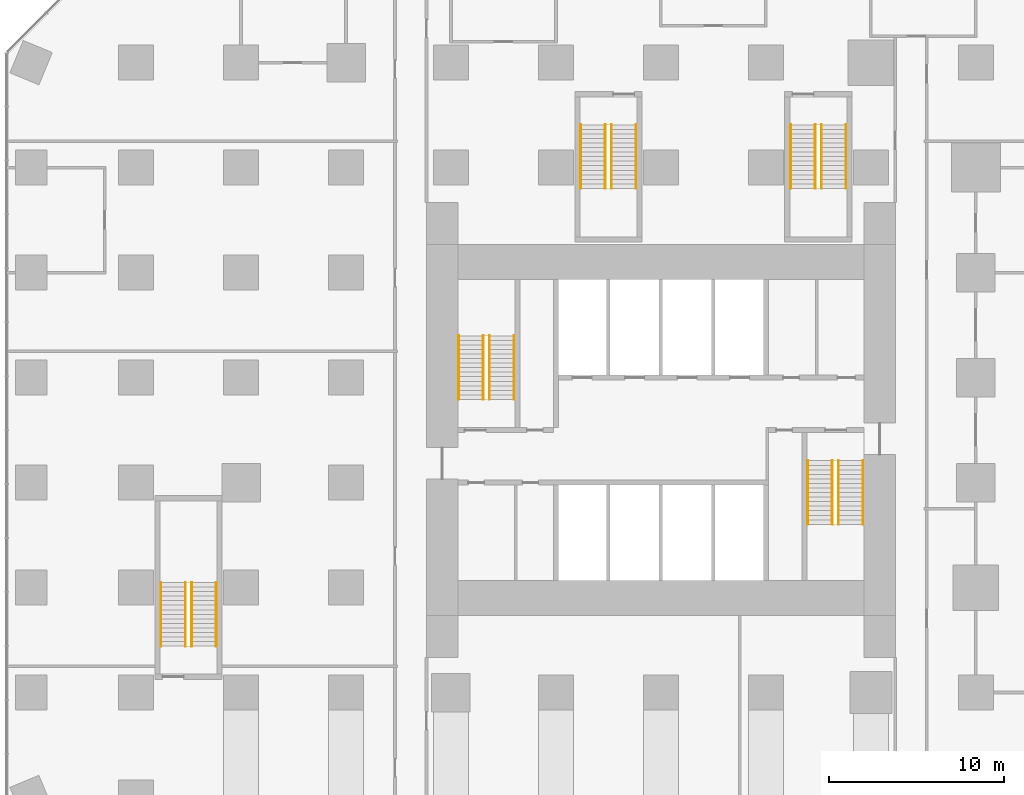
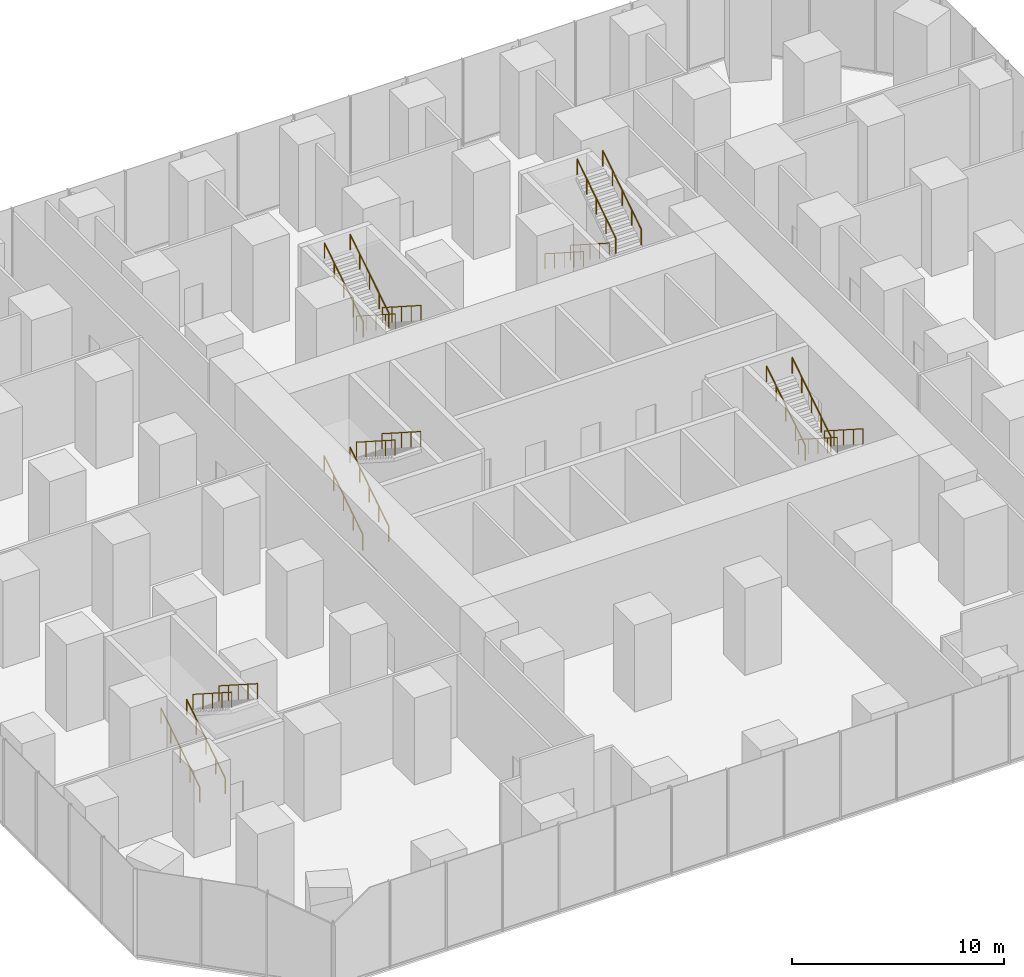
# One storey, part 15 of 15: 20 railings.
"""IFC4 building model written with IfcOpenShell, lengths in metres."""

from ifc_helpers import new_model, si_unit, direction, frame, origin, origin_2d, place, context, subcontext, project, spatial, circle, extrude, material, type_object, element, save


model = new_model("IFC4")

# Units and contexts
model_context = context("Model", 3, precision=1e-05, world=origin(), true_north=direction((0.0, 1.0)))
body_context = subcontext(model_context, "Body", "Model", "MODEL_VIEW")
ifc_project = project(units=[si_unit("LENGTHUNIT", "METRE"), si_unit("AREAUNIT", "SQUARE_METRE"), si_unit("VOLUMEUNIT", "CUBIC_METRE"), si_unit("PLANEANGLEUNIT", "RADIAN"), si_unit("MASSUNIT", "GRAM", prefix="KILO")], contexts=[model_context])

# Site, building, storey
site_placement = place(None, origin())
site = spatial("IfcSite", under=ifc_project, at=site_placement, CompositionType="ELEMENT")
building_placement = place(site_placement, origin())
building = spatial("IfcBuilding", under=site, at=building_placement, Name="Highveld Stack Headquarters", CompositionType="ELEMENT")
storey_placement = place(building_placement, frame((0.0, 0.0, 6.0)))
storey = spatial("IfcBuildingStorey", under=building, at=storey_placement, Name="L01", CompositionType="ELEMENT", Elevation=6.0)

# Railings
ifc_material = material(Name="Stainless steel handrail", Category="steel")
railing_type = type_object("IfcRailingType", Name="STAIR HANDRAIL HR1 900", PredefinedType="HANDRAIL", material=ifc_material)
for number, where, name in (
    (1, (-5.550048828125, 4.75, 0.166748046875), "Handrail S1 L01 flight 1"),
    (2, (-4.14990234375, 4.75, 0.166748046875), "Handrail S1 L01 flight 1"),
):
    element("IfcRailing", number, at=place(storey_placement, frame(where)), inside=storey, type_object=railing_type, Name=name, PredefinedType="HANDRAIL", context=body_context, shape_type="SweptSolid", body=[
        extrude(circle(Radius=0.02392578125, at=origin_2d()), frame((0.0, 0.0, 0.8759765625), z_axis=(0.0, 0.841880454617, 0.539664062296), x_axis=(-1.0, 0.0, 0.0)), (0.0, 0.0, 1.0), 4.323486328125),
        extrude(circle(Radius=0.02099609375, at=origin_2d()), origin(), (0.0, 0.0, 1.0), 0.851806640625),
        extrude(circle(Radius=0.02099609375, at=origin_2d()), frame((0.0, 0.909912109375, 0.583251953125)), (0.0, 0.0, 1.0), 0.851806640625),
        extrude(circle(Radius=0.02099609375, at=origin_2d()), frame((0.0, 1.81982421875, 1.16650390625)), (0.0, 0.0, 1.0), 0.851806640625),
        extrude(circle(Radius=0.02099609375, at=origin_2d()), frame((0.0, 2.72998046875, 1.75)), (0.0, 0.0, 1.0), 0.851806640625),
        extrude(circle(Radius=0.02099609375, at=origin_2d()), frame((0.0, 3.639892578125, 2.333251953125)), (0.0, 0.0, 1.0), 0.851806640625),
    ])
for number, where, name in (
    (3, (-3.800048828125, 8.389892578125, 2.666748046875), "Handrail S1 L01 flight 2"),
    (4, (-2.39990234375, 8.389892578125, 2.666748046875), "Handrail S1 L01 flight 2"),
    (5, (16.14990234375, 1.25, 0.166748046875), "Handrail S2 L01 flight 1"),
    (6, (17.550048828125, 1.25, 0.166748046875), "Handrail S2 L01 flight 1"),
):
    element("IfcRailing", number, at=place(storey_placement, frame(where)), inside=storey, type_object=railing_type, Name=name, PredefinedType="HANDRAIL", context=body_context, shape_type="SweptSolid", body=[
        extrude(circle(Radius=0.02392578125, at=origin_2d()), frame((0.0, 0.0, 0.8759765625), z_axis=(0.0, -0.841880454617, 0.539664062296), x_axis=(1.0, 0.0, 0.0)), (0.0, 0.0, 1.0), 4.323486328125),
        extrude(circle(Radius=0.02099609375, at=origin_2d()), origin(), (0.0, 0.0, 1.0), 0.851806640625),
        extrude(circle(Radius=0.02099609375, at=origin_2d()), frame((0.0, -0.909912109375, 0.583251953125)), (0.0, 0.0, 1.0), 0.851806640625),
        extrude(circle(Radius=0.02099609375, at=origin_2d()), frame((0.0, -1.81982421875, 1.16650390625)), (0.0, 0.0, 1.0), 0.851806640625),
        extrude(circle(Radius=0.02099609375, at=origin_2d()), frame((0.0, -2.72998046875, 1.75)), (0.0, 0.0, 1.0), 0.851806640625),
        extrude(circle(Radius=0.02099609375, at=origin_2d()), frame((0.0, -3.639892578125, 2.333251953125)), (0.0, 0.0, 1.0), 0.851806640625),
    ])
for number, where, name in (
    (7, (14.39990234375, -2.389892578125, 2.666748046875), "Handrail S2 L01 flight 2"),
    (8, (15.800048828125, -2.389892578125, 2.666748046875), "Handrail S2 L01 flight 2"),
):
    element("IfcRailing", number, at=place(storey_placement, frame(where)), inside=storey, type_object=railing_type, Name=name, PredefinedType="HANDRAIL", context=body_context, shape_type="SweptSolid", body=[
        extrude(circle(Radius=0.02392578125, at=origin_2d()), frame((0.0, 0.0, 0.8759765625), z_axis=(0.0, 0.841880454617, 0.539664062296), x_axis=(-1.0, 0.0, 0.0)), (0.0, 0.0, 1.0), 4.323486328125),
        extrude(circle(Radius=0.02099609375, at=origin_2d()), origin(), (0.0, 0.0, 1.0), 0.851806640625),
        extrude(circle(Radius=0.02099609375, at=origin_2d()), frame((0.0, 0.909912109375, 0.583251953125)), (0.0, 0.0, 1.0), 0.851806640625),
        extrude(circle(Radius=0.02099609375, at=origin_2d()), frame((0.0, 1.81982421875, 1.16650390625)), (0.0, 0.0, 1.0), 0.851806640625),
        extrude(circle(Radius=0.02099609375, at=origin_2d()), frame((0.0, 2.72998046875, 1.75)), (0.0, 0.0, 1.0), 0.851806640625),
        extrude(circle(Radius=0.02099609375, at=origin_2d()), frame((0.0, 3.639892578125, 2.333251953125)), (0.0, 0.0, 1.0), 0.851806640625),
    ])
for number, where, name in (
    (9, (-22.574951171875, -9.35009765625, 0.166748046875), "Handrail PS1 L01 flight 1"),
    (10, (-21.175048828125, -9.35009765625, 0.166748046875), "Handrail PS1 L01 flight 1"),
):
    element("IfcRailing", number, at=place(storey_placement, frame(where)), inside=storey, type_object=railing_type, Name=name, PredefinedType="HANDRAIL", context=body_context, shape_type="SweptSolid", body=[
        extrude(circle(Radius=0.02392578125, at=origin_2d()), frame((0.0, 0.0, 0.8759765625), z_axis=(0.0, 0.841896899013, 0.53963840804), x_axis=(-1.0, 0.0, 0.0)), (0.0, 0.0, 1.0), 4.32373046875),
        extrude(circle(Radius=0.02099609375, at=origin_2d()), origin(), (0.0, 0.0, 1.0), 0.851806640625),
        extrude(circle(Radius=0.02099609375, at=origin_2d()), frame((0.0, 0.91015625, 0.583251953125)), (0.0, 0.0, 1.0), 0.851806640625),
        extrude(circle(Radius=0.02099609375, at=origin_2d()), frame((0.0, 1.820068359375, 1.16650390625)), (0.0, 0.0, 1.0), 0.851806640625),
        extrude(circle(Radius=0.02099609375, at=origin_2d()), frame((0.0, 2.72998046875, 1.75)), (0.0, 0.0, 1.0), 0.851806640625),
        extrude(circle(Radius=0.02099609375, at=origin_2d()), frame((0.0, 3.64013671875, 2.333251953125)), (0.0, 0.0, 1.0), 0.851806640625),
    ])
for number, where, name in (
    (11, (-20.824951171875, -5.7099609375, 2.666748046875), "Handrail PS1 L01 flight 2"),
    (12, (-19.425048828125, -5.7099609375, 2.666748046875), "Handrail PS1 L01 flight 2"),
):
    element("IfcRailing", number, at=place(storey_placement, frame(where)), inside=storey, type_object=railing_type, Name=name, PredefinedType="HANDRAIL", context=body_context, shape_type="SweptSolid", body=[
        extrude(circle(Radius=0.02392578125, at=origin_2d()), frame((0.0, 0.0, 0.8759765625), z_axis=(0.0, -0.841896899013, 0.53963840804), x_axis=(1.0, 0.0, 0.0)), (0.0, 0.0, 1.0), 4.32373046875),
        extrude(circle(Radius=0.02099609375, at=origin_2d()), origin(), (0.0, 0.0, 1.0), 0.851806640625),
        extrude(circle(Radius=0.02099609375, at=origin_2d()), frame((0.0, -0.91015625, 0.583251953125)), (0.0, 0.0, 1.0), 0.851806640625),
        extrude(circle(Radius=0.02099609375, at=origin_2d()), frame((0.0, -1.820068359375, 1.16650390625)), (0.0, 0.0, 1.0), 0.851806640625),
        extrude(circle(Radius=0.02099609375, at=origin_2d()), frame((0.0, -2.72998046875, 1.75)), (0.0, 0.0, 1.0), 0.851806640625),
        extrude(circle(Radius=0.02099609375, at=origin_2d()), frame((0.0, -3.64013671875, 2.333251953125)), (0.0, 0.0, 1.0), 0.851806640625),
    ])
for number, where, name in (
    (13, (13.425048828125, 20.449951171875, 0.166748046875), "Handrail PS2 L01 flight 1"),
    (14, (14.824951171875, 20.449951171875, 0.166748046875), "Handrail PS2 L01 flight 1"),
):
    element("IfcRailing", number, at=place(storey_placement, frame(where)), inside=storey, type_object=railing_type, Name=name, PredefinedType="HANDRAIL", context=body_context, shape_type="SweptSolid", body=[
        extrude(circle(Radius=0.02392578125, at=origin_2d()), frame((0.0, 0.0, 0.8759765625), z_axis=(0.0, -0.841880454617, 0.539664062296), x_axis=(1.0, 0.0, 0.0)), (0.0, 0.0, 1.0), 4.323486328125),
        extrude(circle(Radius=0.02099609375, at=origin_2d()), origin(), (0.0, 0.0, 1.0), 0.851806640625),
        extrude(circle(Radius=0.02099609375, at=origin_2d()), frame((0.0, -0.909912109375, 0.583251953125)), (0.0, 0.0, 1.0), 0.851806640625),
        extrude(circle(Radius=0.02099609375, at=origin_2d()), frame((0.0, -1.81982421875, 1.16650390625)), (0.0, 0.0, 1.0), 0.851806640625),
        extrude(circle(Radius=0.02099609375, at=origin_2d()), frame((0.0, -2.72998046875, 1.75)), (0.0, 0.0, 1.0), 0.851806640625),
        extrude(circle(Radius=0.02099609375, at=origin_2d()), frame((0.0, -3.639892578125, 2.333251953125)), (0.0, 0.0, 1.0), 0.851806640625),
    ])
for number, where, name in (
    (15, (15.175048828125, 16.81005859375, 2.666748046875), "Handrail PS2 L01 flight 2"),
    (16, (16.574951171875, 16.81005859375, 2.666748046875), "Handrail PS2 L01 flight 2"),
):
    element("IfcRailing", number, at=place(storey_placement, frame(where)), inside=storey, type_object=railing_type, Name=name, PredefinedType="HANDRAIL", context=body_context, shape_type="SweptSolid", body=[
        extrude(circle(Radius=0.02392578125, at=origin_2d()), frame((0.0, 0.0, 0.8759765625), z_axis=(0.0, 0.841880454617, 0.539664062296), x_axis=(-1.0, 0.0, 0.0)), (0.0, 0.0, 1.0), 4.323486328125),
        extrude(circle(Radius=0.02099609375, at=origin_2d()), origin(), (0.0, 0.0, 1.0), 0.851806640625),
        extrude(circle(Radius=0.02099609375, at=origin_2d()), frame((0.0, 0.909912109375, 0.583251953125)), (0.0, 0.0, 1.0), 0.851806640625),
        extrude(circle(Radius=0.02099609375, at=origin_2d()), frame((0.0, 1.81982421875, 1.16650390625)), (0.0, 0.0, 1.0), 0.851806640625),
        extrude(circle(Radius=0.02099609375, at=origin_2d()), frame((0.0, 2.72998046875, 1.75)), (0.0, 0.0, 1.0), 0.851806640625),
        extrude(circle(Radius=0.02099609375, at=origin_2d()), frame((0.0, 3.639892578125, 2.333251953125)), (0.0, 0.0, 1.0), 0.851806640625),
    ])
for number, where, name in (
    (17, (3.175048828125, 20.449951171875, 0.166748046875), "Handrail PS3 L01 flight 1"),
    (18, (4.574951171875, 20.449951171875, 0.166748046875), "Handrail PS3 L01 flight 1"),
):
    element("IfcRailing", number, at=place(storey_placement, frame(where)), inside=storey, type_object=railing_type, Name=name, PredefinedType="HANDRAIL", context=body_context, shape_type="SweptSolid", body=[
        extrude(circle(Radius=0.02392578125, at=origin_2d()), frame((0.0, 0.0, 0.8759765625), z_axis=(0.0, -0.841880454617, 0.539664062296), x_axis=(1.0, 0.0, 0.0)), (0.0, 0.0, 1.0), 4.323486328125),
        extrude(circle(Radius=0.02099609375, at=origin_2d()), origin(), (0.0, 0.0, 1.0), 0.851806640625),
        extrude(circle(Radius=0.02099609375, at=origin_2d()), frame((0.0, -0.909912109375, 0.583251953125)), (0.0, 0.0, 1.0), 0.851806640625),
        extrude(circle(Radius=0.02099609375, at=origin_2d()), frame((0.0, -1.81982421875, 1.16650390625)), (0.0, 0.0, 1.0), 0.851806640625),
        extrude(circle(Radius=0.02099609375, at=origin_2d()), frame((0.0, -2.72998046875, 1.75)), (0.0, 0.0, 1.0), 0.851806640625),
        extrude(circle(Radius=0.02099609375, at=origin_2d()), frame((0.0, -3.639892578125, 2.333251953125)), (0.0, 0.0, 1.0), 0.851806640625),
    ])
for number, where, name in (
    (19, (1.425048828125, 16.81005859375, 2.666748046875), "Handrail PS3 L01 flight 2"),
    (20, (2.824951171875, 16.81005859375, 2.666748046875), "Handrail PS3 L01 flight 2"),
):
    element("IfcRailing", number, at=place(storey_placement, frame(where)), inside=storey, type_object=railing_type, Name=name, PredefinedType="HANDRAIL", context=body_context, shape_type="SweptSolid", body=[
        extrude(circle(Radius=0.02392578125, at=origin_2d()), frame((0.0, 0.0, 0.8759765625), z_axis=(0.0, 0.841880454617, 0.539664062296), x_axis=(-1.0, 0.0, 0.0)), (0.0, 0.0, 1.0), 4.323486328125),
        extrude(circle(Radius=0.02099609375, at=origin_2d()), origin(), (0.0, 0.0, 1.0), 0.851806640625),
        extrude(circle(Radius=0.02099609375, at=origin_2d()), frame((0.0, 0.909912109375, 0.583251953125)), (0.0, 0.0, 1.0), 0.851806640625),
        extrude(circle(Radius=0.02099609375, at=origin_2d()), frame((0.0, 1.81982421875, 1.16650390625)), (0.0, 0.0, 1.0), 0.851806640625),
        extrude(circle(Radius=0.02099609375, at=origin_2d()), frame((0.0, 2.72998046875, 1.75)), (0.0, 0.0, 1.0), 0.851806640625),
        extrude(circle(Radius=0.02099609375, at=origin_2d()), frame((0.0, 3.639892578125, 2.333251953125)), (0.0, 0.0, 1.0), 0.851806640625),
    ])

save(model, "model.ifc")
